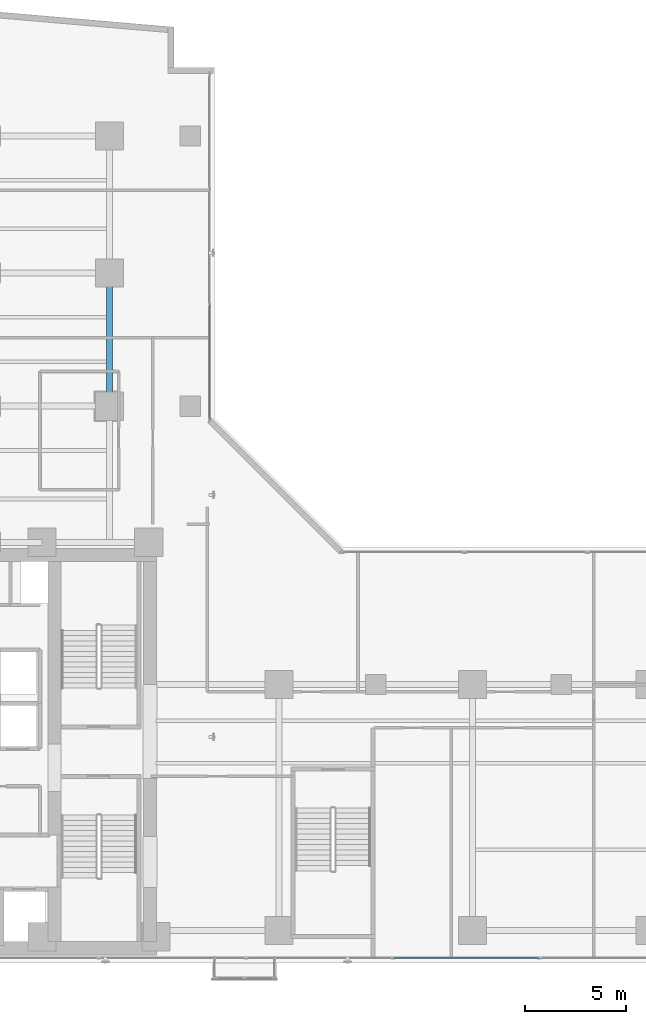
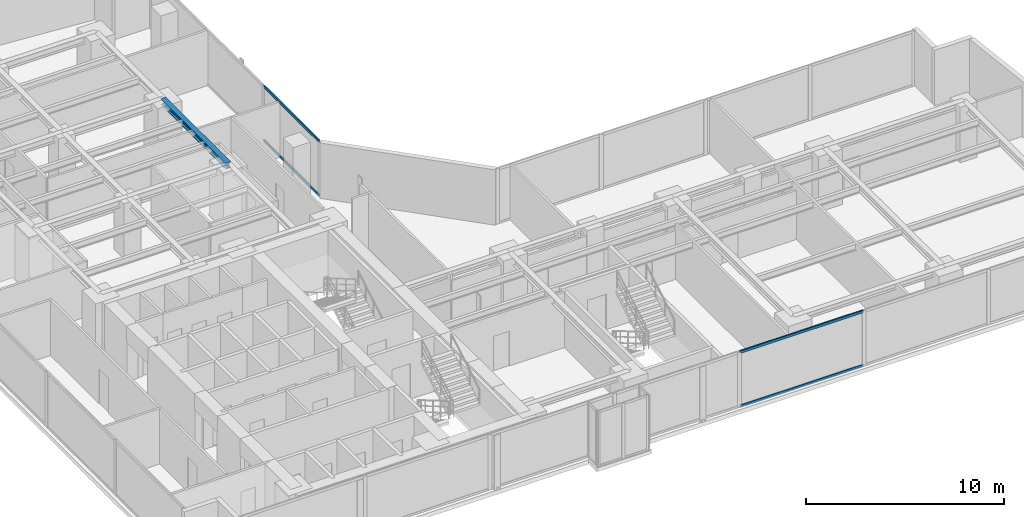
# One storey, part 10 of 25: 4 members, 1 beam, 2 elements without a shape of their own.
"""IFC4 building model written with IfcOpenShell, lengths in metres."""

from ifc_helpers import new_model, si_unit, direction, frame, origin, origin_with_axes, origin_2d, place, context, subcontext, project, spatial, hollow_rectangle, i_section, extrude, source, transform, mapped, material, layer, layer_set, material_profile, profile_set, type_object, element, aggregate, save


model = new_model("IFC4")

# Units and contexts
model_context = context("Model", 3, precision=1e-05, world=origin(), true_north=direction((0.0, 1.0)))
body_context = subcontext(model_context, "Body", "Model", "MODEL_VIEW")
ifc_project = project(units=[si_unit("LENGTHUNIT", "METRE"), si_unit("AREAUNIT", "SQUARE_METRE"), si_unit("VOLUMEUNIT", "CUBIC_METRE"), si_unit("PLANEANGLEUNIT", "RADIAN"), si_unit("MASSUNIT", "GRAM", prefix="KILO")], contexts=[model_context])

# Site, building, storey
site_placement = place(None, origin())
site = spatial("IfcSite", under=ifc_project, at=site_placement, CompositionType="ELEMENT")
building_placement = place(site_placement, origin())
building = spatial("IfcBuilding", under=site, at=building_placement, Name="Kolvaren Waterfront Exchange", CompositionType="ELEMENT")
storey_placement = place(building_placement, frame((0.0, 0.0, 137.300048828125)))
storey = spatial("IfcBuildingStorey", under=building, at=storey_placement, Name="L35", CompositionType="ELEMENT", Elevation=137.300048828125)

# Beam
ifc_material_1 = material(Name="Steel S355", Category="steel")
ifc_material_profile_1 = material_profile(ifc_material_1, i_section(OverallWidth=0.300048828125, OverallDepth=0.360107421875, WebThickness=0.012451171875, FlangeThickness=0.0224609375, FilletRadius=0.027099609375, at=origin_2d()), Name="HEB360")
ifc_profile_set_1 = profile_set([ifc_material_profile_1], Name="Steel S355")
beam_type = type_object("IfcBeamType", Name="STR-BM-HEB360", PredefinedType="SPANDREL", material=ifc_profile_set_1)
beam_placement = place(storey_placement, frame((18.800048828125, 31.199951171875, 3.239990234375), z_axis=(0.0, 1.0, 0.0), x_axis=(-1.0, 0.0, 0.0)))
element("IfcBeam", 1, at=beam_placement, inside=storey, type_object=beam_type, Name="L35 north-arm edge beam 2", PredefinedType="SPANDREL", context=body_context, shape_type="SweptSolid", body=[
    extrude(i_section(OverallWidth=0.300048828125, OverallDepth=0.360107421875, WebThickness=0.012451171875, FlangeThickness=0.0224609375, FilletRadius=0.027099609375, at=origin_2d()), origin(), (0.0, 0.0, 1.0), 6.60009765625),
])

# Curtain wall, members
ifc_material_2 = material(Name="Anodised bronze aluminium 6063-T6", Category="aluminium")
ifc_layer = layer(ifc_material_2, 0.219970703125, Name="Anodised bronze aluminium 6063-T6")
ifc_layer_set = layer_set([ifc_layer], Name="Anodised bronze aluminium 6063-T6")
curtain_wall_type = type_object("IfcCurtainWallType", Name="ARC-CW-SYS1", PredefinedType="USERDEFINED", material=ifc_layer_set)
curtain_wall_1_placement = place(storey_placement, origin())
curtain_wall_1 = element("IfcCurtainWall", 2, at=curtain_wall_1_placement, inside=storey, type_object=curtain_wall_type, Name="L35 stick curtain wall CW1 (CW-L35-NE)", ObjectType="STICK CURTAIN WALL", PredefinedType="USERDEFINED")
ifc_material_3 = material(Name="Anodised aluminium 6063-T6", Category="aluminium")
ifc_material_profile_2 = material_profile(ifc_material_3, hollow_rectangle(XDim=0.074951171875, YDim=0.159912109375, WallThickness=0.00439453125, at=origin_2d()), Name="ALU-TRN-160x75x4.5")
ifc_profile_set_2 = profile_set([ifc_material_profile_2], Name="Anodised aluminium 6063-T6")
member_type = type_object("IfcMemberType", Name="ARC-CWT-160", PredefinedType="USERDEFINED", material=ifc_profile_set_2)
shared_shape_1 = source(origin_with_axes(), body_context, "Body", "SweptSolid", [
    extrude(hollow_rectangle(XDim=0.074951171875, YDim=0.159912109375, WallThickness=0.00439453125, at=origin_2d()), origin(), (0.0, 0.0, 1.0), 5.61669921875),
])
member_1_placement = place(storey_placement, frame((23.760009765625, 30.570068359375, 0.037353515625), z_axis=(0.0, 1.0, 0.0), x_axis=(-1.0, 0.0, 0.0)))
member_1 = element("IfcMember", 3, at=member_1_placement, type_object=member_type, Name="CW1 transom 1.1", ObjectType="TRANSOM", PredefinedType="USERDEFINED", context=body_context, shape_type="MappedRepresentation", body=[
    mapped(shared_shape_1, transform((0.0, 0.0, 0.0), x_axis=(1.0, 0.0, 0.0), y_axis=(0.0, 1.0, 0.0), z_axis=(0.0, 0.0, 1.0), scale=1.0)),
])
member_2_placement = place(storey_placement, frame((23.760009765625, 30.570068359375, 3.382568359375), z_axis=(0.0, 1.0, 0.0), x_axis=(-1.0, 0.0, 0.0)))
member_2 = element("IfcMember", 4, at=member_2_placement, type_object=member_type, Name="CW1 transom 1.2", ObjectType="TRANSOM", PredefinedType="USERDEFINED", context=body_context, shape_type="MappedRepresentation", body=[
    mapped(shared_shape_1, transform((0.0, 0.0, 0.0), x_axis=(1.0, 0.0, 0.0), y_axis=(0.0, 1.0, 0.0), z_axis=(0.0, 0.0, 1.0), scale=1.0)),
])
aggregate(curtain_wall_1, [member_1, member_2])

curtain_wall_2_placement = place(storey_placement, origin())
curtain_wall_2 = element("IfcCurtainWall", 5, at=curtain_wall_2_placement, inside=storey, type_object=curtain_wall_type, Name="L35 stick curtain wall CW1 (CW-L35-S)", ObjectType="STICK CURTAIN WALL", PredefinedType="USERDEFINED")
shared_shape_2 = source(origin_with_axes(), body_context, "Body", "SweptSolid", [
    extrude(hollow_rectangle(XDim=0.074951171875, YDim=0.159912109375, WallThickness=0.00439453125, at=origin_2d()), origin(), (0.0, 0.0, 1.0), 7.205810546875),
])
member_3_placement = place(storey_placement, frame((32.8828125, 3.840087890625, 0.037353515625), z_axis=(1.0, 0.0, 0.0), x_axis=(0.0, 1.0, 0.0)))
member_3 = element("IfcMember", 6, at=member_3_placement, type_object=member_type, Name="CW1 transom 5.1", ObjectType="TRANSOM", PredefinedType="USERDEFINED", context=body_context, shape_type="MappedRepresentation", body=[
    mapped(shared_shape_2, transform((0.0, 0.0, 0.0), x_axis=(1.0, 0.0, 0.0), y_axis=(0.0, 1.0, 0.0), z_axis=(0.0, 0.0, 1.0), scale=1.0)),
])
member_4_placement = place(storey_placement, frame((32.8828125, 3.840087890625, 3.382568359375), z_axis=(1.0, 0.0, 0.0), x_axis=(0.0, 1.0, 0.0)))
member_4 = element("IfcMember", 7, at=member_4_placement, type_object=member_type, Name="CW1 transom 5.2", ObjectType="TRANSOM", PredefinedType="USERDEFINED", context=body_context, shape_type="MappedRepresentation", body=[
    mapped(shared_shape_2, transform((0.0, 0.0, 0.0), x_axis=(1.0, 0.0, 0.0), y_axis=(0.0, 1.0, 0.0), z_axis=(0.0, 0.0, 1.0), scale=1.0)),
])
aggregate(curtain_wall_2, [member_3, member_4])

save(model, "model.ifc")
